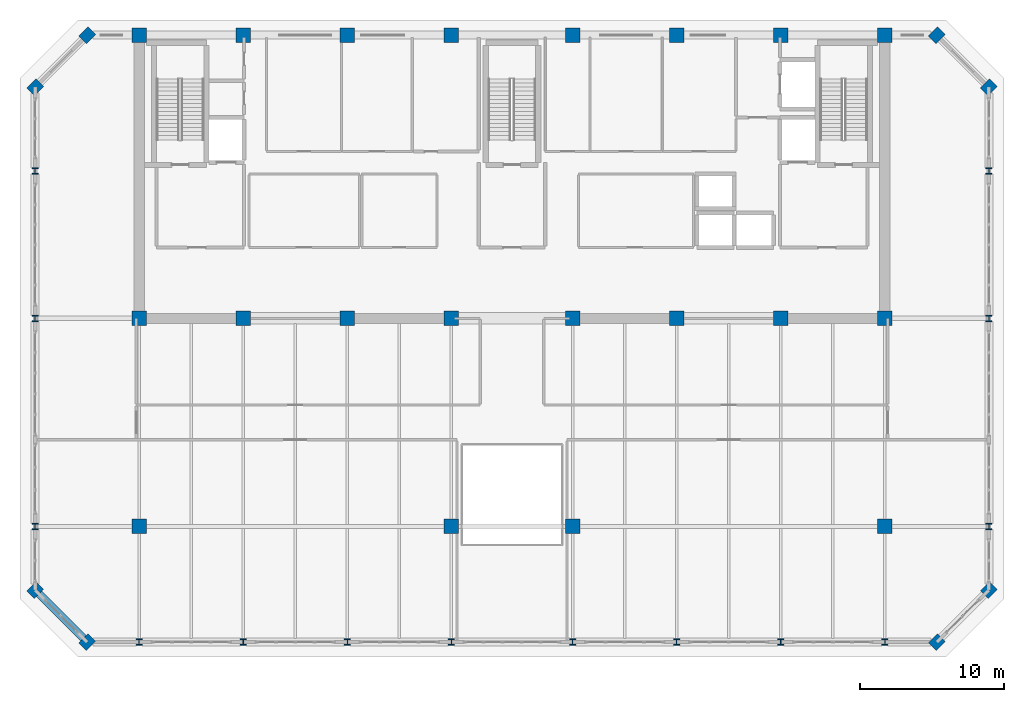
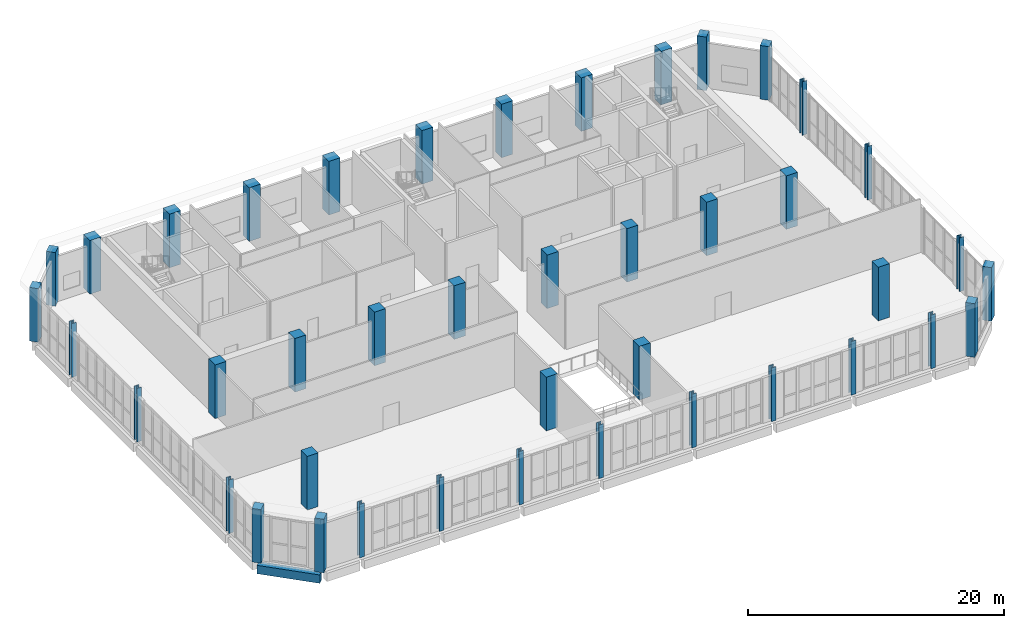
# One storey, part 1 of 26: 42 columns, 1 beam.
"""IFC4 building model written with IfcOpenShell, lengths in metres."""

from ifc_helpers import new_model, si_unit, direction, frame, origin, origin_2d, place, context, subcontext, project, spatial, rectangle, i_section, extrude, material, material_profile, profile_set, type_object, element, save


model = new_model("IFC4")

# Units and contexts
model_context = context("Model", 3, precision=1e-05, world=origin(), true_north=direction((0.0, 1.0)))
body_context = subcontext(model_context, "Body", "Model", "MODEL_VIEW")
ifc_project = project(units=[si_unit("LENGTHUNIT", "METRE"), si_unit("AREAUNIT", "SQUARE_METRE"), si_unit("VOLUMEUNIT", "CUBIC_METRE"), si_unit("PLANEANGLEUNIT", "RADIAN"), si_unit("MASSUNIT", "GRAM", prefix="KILO")], contexts=[model_context])

# Site, building, storey
site_placement = place(None, origin())
site = spatial("IfcSite", under=ifc_project, at=site_placement, CompositionType="ELEMENT")
building_placement = place(site_placement, origin())
building = spatial("IfcBuilding", under=site, at=building_placement, Name="Kaelvorn Grand Hotel", CompositionType="ELEMENT")
storey_placement = place(building_placement, frame((0.0, 0.0, 300.199951171875)))
storey = spatial("IfcBuildingStorey", under=building, at=storey_placement, Name="L73", CompositionType="ELEMENT", Elevation=300.199951171875)

# Columns
ifc_material_1 = material(Name="Concrete C60/75", Category="concrete")
ifc_material_profile_1 = material_profile(ifc_material_1, rectangle(XDim=0.89990234375, YDim=0.75, at=origin_2d()), Name="RC PILASTER 900x750")
ifc_profile_set_1 = profile_set([ifc_material_profile_1], Name="Concrete C60/75")
column_type_1 = type_object("IfcColumnType", Name="COL-PIL-900x750-C60", PredefinedType="PILASTER", material=ifc_profile_set_1)
for number, where, z_axis, x_axis, name in (
    (1, (12.60009765625, 7.0, 0.0), (0.0, 0.0, 1.0), (0.707106781187, 0.707106781187, 0.0), "L73 Structural Column CH-01"),
    (2, (71.39990234375, 7.0, 0.0), (0.0, 0.0, 1.0), (0.707106781187, 0.707106781187, 0.0), "L73 Structural Column CH-02"),
    (3, (75.0, 10.60009765625, 0.0), (0.0, 0.0, 1.0), (0.707106781187, 0.707106781187, 0.0), "L73 Structural Column CH-03"),
    (4, (75.0, 45.39990234375, 0.0), (0.0, 0.0, 1.0), (0.707106781187, 0.707106781187, 0.0), "L73 Structural Column CH-04"),
    (5, (71.39990234375, 49.0, 0.0), (0.0, 0.0, 1.0), (0.707106781187, 0.707106781187, 0.0), "L73 Structural Column CH-05"),
    (6, (12.60009765625, 49.0, 0.0), (0.0, 0.0, 1.0), (0.707106781187, 0.707106781187, 0.0), "L73 Structural Column CH-06"),
    (7, (9.0, 45.39990234375, 0.0), (0.0, 0.0, 1.0), (0.707106781187, 0.707106781187, 0.0), "L73 Structural Column CH-07"),
    (8, (9.0, 10.60009765625, 0.0), (0.0, 0.0, 1.0), (0.707106781187, 0.707106781187, 0.0), "L73 Structural Column CH-08"),
):
    element("IfcColumn", number, at=place(storey_placement, frame(where, z_axis=z_axis, x_axis=x_axis)), inside=storey, type_object=column_type_1, Name=name, PredefinedType="PILASTER", context=body_context, shape_type="SweptSolid", body=[
        extrude(rectangle(XDim=0.89990234375, YDim=0.75, at=origin_2d()), origin(), (0.0, 0.0, 1.0), 5.1201171875),
    ])
ifc_material_2 = material(Name="Concrete C50/60", Category="concrete")
ifc_material_profile_2 = material_profile(ifc_material_2, rectangle(XDim=1.0, YDim=1.0, at=origin_2d()), Name="RC COL 1000x1000")
ifc_profile_set_2 = profile_set([ifc_material_profile_2], Name="Concrete C50/60")
column_type_2 = type_object("IfcColumnType", Name="COL-RC-1000-C50", PredefinedType="COLUMN", material=ifc_profile_set_2)
for number, where, z_axis, x_axis, name in (
    (9, (16.199951171875, 15.0, 0.0), (0.0, 0.0, 1.0), (1.0, 0.0, 0.0), "L73 Structural Column M-01"),
    (10, (37.800048828125, 15.0, 0.0), (0.0, 0.0, 1.0), (1.0, 0.0, 0.0), "L73 Structural Column M-02"),
    (11, (46.199951171875, 15.0, 0.0), (0.0, 0.0, 1.0), (1.0, 0.0, 0.0), "L73 Structural Column M-03"),
    (12, (67.800048828125, 15.0, 0.0), (0.0, 0.0, 1.0), (1.0, 0.0, 0.0), "L73 Structural Column M-04"),
    (13, (16.199951171875, 29.39990234375, 0.0), (0.0, 0.0, 1.0), (1.0, 0.0, 0.0), "L73 Structural Column CR1-01"),
    (14, (16.199951171875, 49.0, 0.0), (0.0, 0.0, 1.0), (1.0, 0.0, 0.0), "L73 Structural Column CR2-01"),
    (15, (23.39990234375, 29.39990234375, 0.0), (0.0, 0.0, 1.0), (1.0, 0.0, 0.0), "L73 Structural Column CR1-02"),
    (16, (23.39990234375, 49.0, 0.0), (0.0, 0.0, 1.0), (1.0, 0.0, 0.0), "L73 Structural Column CR2-02"),
    (17, (30.60009765625, 29.39990234375, 0.0), (0.0, 0.0, 1.0), (1.0, 0.0, 0.0), "L73 Structural Column CR1-03"),
    (18, (30.60009765625, 49.0, 0.0), (0.0, 0.0, 1.0), (1.0, 0.0, 0.0), "L73 Structural Column CR2-03"),
    (19, (37.800048828125, 29.39990234375, 0.0), (0.0, 0.0, 1.0), (1.0, 0.0, 0.0), "L73 Structural Column CR1-04"),
    (20, (37.800048828125, 49.0, 0.0), (0.0, 0.0, 1.0), (1.0, 0.0, 0.0), "L73 Structural Column CR2-04"),
    (21, (46.199951171875, 29.39990234375, 0.0), (0.0, 0.0, 1.0), (1.0, 0.0, 0.0), "L73 Structural Column CR1-05"),
    (22, (46.199951171875, 49.0, 0.0), (0.0, 0.0, 1.0), (1.0, 0.0, 0.0), "L73 Structural Column CR2-05"),
    (23, (53.39990234375, 29.39990234375, 0.0), (0.0, 0.0, 1.0), (1.0, 0.0, 0.0), "L73 Structural Column CR1-06"),
    (24, (53.39990234375, 49.0, 0.0), (0.0, 0.0, 1.0), (1.0, 0.0, 0.0), "L73 Structural Column CR2-06"),
    (25, (60.60009765625, 29.39990234375, 0.0), (0.0, 0.0, 1.0), (1.0, 0.0, 0.0), "L73 Structural Column CR1-07"),
    (26, (60.60009765625, 49.0, 0.0), (0.0, 0.0, 1.0), (1.0, 0.0, 0.0), "L73 Structural Column CR2-07"),
    (27, (67.800048828125, 29.39990234375, 0.0), (0.0, 0.0, 1.0), (1.0, 0.0, 0.0), "L73 Structural Column CR1-08"),
    (28, (67.800048828125, 49.0, 0.0), (0.0, 0.0, 1.0), (1.0, 0.0, 0.0), "L73 Structural Column CR2-08"),
):
    element("IfcColumn", number, at=place(storey_placement, frame(where, z_axis=z_axis, x_axis=x_axis)), inside=storey, type_object=column_type_2, Name=name, PredefinedType="COLUMN", context=body_context, shape_type="SweptSolid", body=[
        extrude(rectangle(XDim=1.0, YDim=1.0, at=origin_2d()), origin(), (0.0, 0.0, 1.0), 5.1201171875),
    ])
ifc_material_3 = material(Name="Steel S460", Category="steel")
ifc_material_profile_3 = material_profile(ifc_material_3, i_section(OverallWidth=0.412109375, OverallDepth=0.43505859375, WebThickness=0.035888671875, FlangeThickness=0.055908203125, FilletRadius=0.014892578125, at=origin_2d()), Name="HD 400x463")
ifc_profile_set_3 = profile_set([ifc_material_profile_3], Name="Steel S460")
column_type_3 = type_object("IfcColumnType", Name="COL-STL-HD400-S460", PredefinedType="COLUMN", material=ifc_profile_set_3)
for number, where, z_axis, x_axis, name in (
    (29, (16.199951171875, 7.0, 0.0), (0.0, 0.0, 1.0), (1.0, 0.0, 0.0), "L73 Structural Column S-01"),
    (30, (23.39990234375, 7.0, 0.0), (0.0, 0.0, 1.0), (1.0, 0.0, 0.0), "L73 Structural Column S-02"),
    (31, (30.60009765625, 7.0, 0.0), (0.0, 0.0, 1.0), (1.0, 0.0, 0.0), "L73 Structural Column S-03"),
    (32, (37.800048828125, 7.0, 0.0), (0.0, 0.0, 1.0), (1.0, 0.0, 0.0), "L73 Structural Column S-04"),
    (33, (46.199951171875, 7.0, 0.0), (0.0, 0.0, 1.0), (1.0, 0.0, 0.0), "L73 Structural Column S-05"),
    (34, (53.39990234375, 7.0, 0.0), (0.0, 0.0, 1.0), (1.0, 0.0, 0.0), "L73 Structural Column S-06"),
    (35, (60.60009765625, 7.0, 0.0), (0.0, 0.0, 1.0), (1.0, 0.0, 0.0), "L73 Structural Column S-07"),
    (36, (67.800048828125, 7.0, 0.0), (0.0, 0.0, 1.0), (1.0, 0.0, 0.0), "L73 Structural Column S-08"),
    (37, (9.0, 15.0, 0.0), (0.0, 0.0, 1.0), (1.0, 0.0, 0.0), "L73 Structural Column W-01"),
    (38, (75.0, 15.0, 0.0), (0.0, 0.0, 1.0), (1.0, 0.0, 0.0), "L73 Structural Column E-01"),
    (39, (9.0, 29.39990234375, 0.0), (0.0, 0.0, 1.0), (1.0, 0.0, 0.0), "L73 Structural Column W-02"),
    (40, (75.0, 29.39990234375, 0.0), (0.0, 0.0, 1.0), (1.0, 0.0, 0.0), "L73 Structural Column E-02"),
    (41, (9.0, 39.60009765625, 0.0), (0.0, 0.0, 1.0), (1.0, 0.0, 0.0), "L73 Structural Column W-03"),
    (42, (75.0, 39.60009765625, 0.0), (0.0, 0.0, 1.0), (1.0, 0.0, 0.0), "L73 Structural Column E-03"),
):
    element("IfcColumn", number, at=place(storey_placement, frame(where, z_axis=z_axis, x_axis=x_axis)), inside=storey, type_object=column_type_3, Name=name, PredefinedType="COLUMN", context=body_context, shape_type="SweptSolid", body=[
        extrude(i_section(OverallWidth=0.412109375, OverallDepth=0.43505859375, WebThickness=0.035888671875, FlangeThickness=0.055908203125, FilletRadius=0.014892578125, at=origin_2d()), origin(), (0.0, 0.0, 1.0), 5.1201171875),
    ])

# Beam
ifc_material_profile_4 = material_profile(ifc_material_2, rectangle(XDim=0.550048828125, YDim=0.800048828125, at=origin_2d()), Name="RC SPANDREL 550x800")
ifc_profile_set_4 = profile_set([ifc_material_profile_4], Name="Concrete C50/60")
beam_type = type_object("IfcBeamType", Name="BM-SP-550x800-C50", PredefinedType="SPANDREL", material=ifc_profile_set_4)
beam_placement = place(storey_placement, frame((9.0, 10.60009765625, -0.780029296875), z_axis=(0.707106781187, -0.707106781187, 0.0), x_axis=(0.707106781187, 0.707106781187, 0.0)))
element("IfcBeam", 43, at=beam_placement, inside=storey, type_object=beam_type, Name="L73 Chamfer Spandrel Beam 4", PredefinedType="SPANDREL", context=body_context, shape_type="SweptSolid", body=[
    extrude(rectangle(XDim=0.550048828125, YDim=0.800048828125, at=origin_2d()), origin(), (0.0, 0.0, 1.0), 5.09130859375),
])

save(model, "model.ifc")
